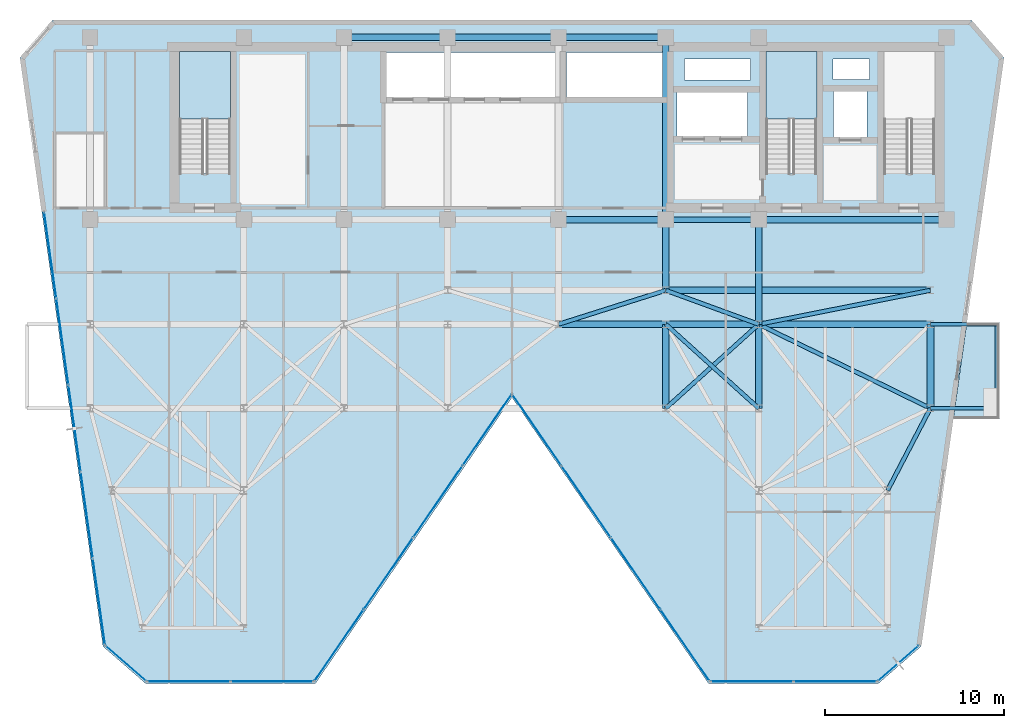
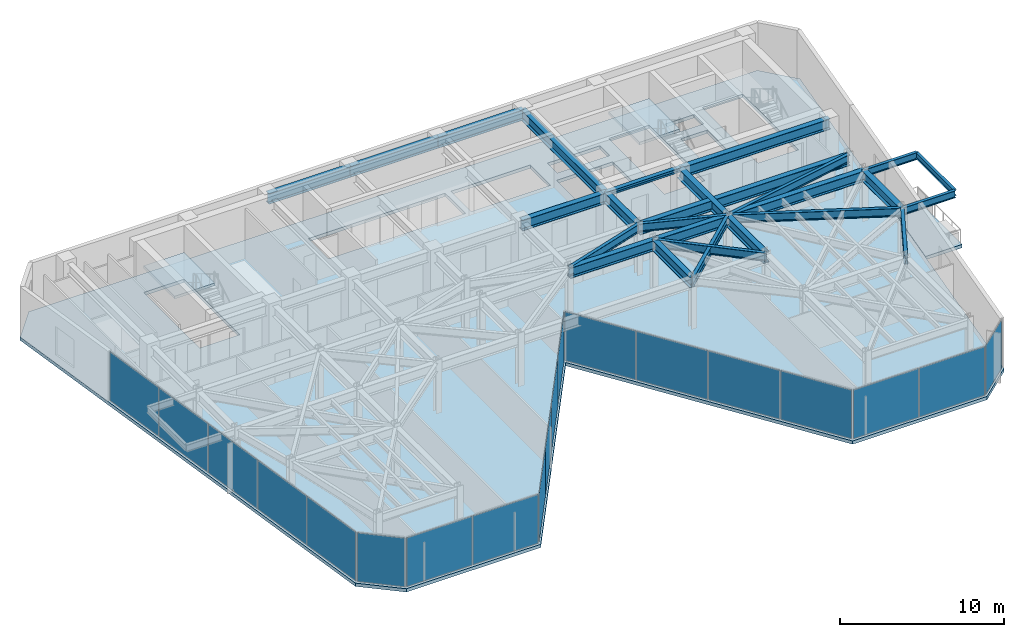
# One storey, part 21 of 27: 26 beams, 19 plates, 4 slabs, 9 elements without a shape of their own.
"""IFC4 building model written with IfcOpenShell, lengths in metres."""

import ifcopenshell
import ifcopenshell.guid

model = None  # the IFC model being written
_history = None  # IfcOwnerHistory: only IFC2X3 demands one
_inside = {}  # id of a spatial element -> (the spatial element, [elements in it])
_under = {}  # id of a project, library or spatial element -> (it, [spatial elements below it])
_declared = {}  # id of a project -> (the project, [libraries it declares])
_typed = {}  # id of a type object -> (the type object, [elements of that type])
_made_of = {}  # id of a material, layer set ... -> (it, [elements and type objects made of it])


def new_model(schema):
    """Start an empty IFC model of exactly this schema.

    Asked for "IFC4X3", IfcOpenShell would pick the latest addendum, in which some entities
    have other attributes; the version numbers below select the first issue.
    IFC2X3 requires an IfcOwnerHistory on every rooted entity: one is made here for all.
    """
    global model, _history
    if schema == "IFC4X3":
        model = ifcopenshell.file(schema_version=(4, 3, 0, 0))
    else:
        model = ifcopenshell.file(schema=schema)
    _inside.clear()
    _under.clear()
    _declared.clear()
    _typed.clear()
    _made_of.clear()
    _history = None
    if model.schema == "IFC2X3":
        org = make("IfcOrganization", Name="unknown")
        user = make(
            "IfcPersonAndOrganization",
            ThePerson=make("IfcPerson", FamilyName="unknown"),
            TheOrganization=org,
        )
        app = make(
            "IfcApplication",
            ApplicationDeveloper=org,
            Version="unknown",
            ApplicationFullName="unknown",
            ApplicationIdentifier="unknown",
        )
        _history = make(
            "IfcOwnerHistory",
            OwningUser=user,
            OwningApplication=app,
            ChangeAction="ADDED",
            CreationDate=0,
        )
    return model


def make(cls, **values):
    """One entity of the class cls with the attributes given. An attribute that is None is left unset."""
    return model.create_entity(
        cls, **{name: value for name, value in values.items() if value is not None}
    )


def rooted(cls, **values):
    """An entity with a GlobalId (a new one), such as an element, a storey or a relation."""
    return make(cls, GlobalId=ifcopenshell.guid.new(), OwnerHistory=_history, **values)


def si_unit(unit_type, name, prefix=None):
    """IfcSIUnit, for example si_unit("LENGTHUNIT", "METRE", prefix="MILLI")."""
    return make("IfcSIUnit", UnitType=unit_type, Prefix=prefix, Name=name)


def assignment(units):
    """IfcUnitAssignment: the units of a project."""
    return None if units is None else make("IfcUnitAssignment", Units=units)


def point(xyz):
    """IfcCartesianPoint."""
    return None if xyz is None else make("IfcCartesianPoint", Coordinates=xyz)


def direction(xyz):
    """IfcDirection."""
    return None if xyz is None else make("IfcDirection", DirectionRatios=xyz)


def frame(location, z_axis=None, x_axis=None):
    """IfcAxis2Placement3D, a coordinate frame: its origin and axes. An axis left out is left unset."""
    return make(
        "IfcAxis2Placement3D",
        Location=point(location),
        Axis=direction(z_axis),
        RefDirection=direction(x_axis),
    )


def frame_2d(location, x_axis=None):
    """IfcAxis2Placement2D, a coordinate frame in the plane: its origin and x axis."""
    return make(
        "IfcAxis2Placement2D", Location=point(location), RefDirection=direction(x_axis)
    )


def origin():
    """The frame at (0, 0, 0) with its axes left unset."""
    return frame((0.0, 0.0, 0.0))


def origin_2d():
    """The frame at (0, 0) in the plane with its x axis left unset."""
    return frame_2d((0.0, 0.0))


def place(relative_to, where):
    """IfcLocalPlacement: puts the frame where relative to a parent placement (None: the world)."""
    return make(
        "IfcLocalPlacement", PlacementRelTo=relative_to, RelativePlacement=where
    )


def context(
    kind, dimensions, precision=None, world=None, true_north=None, identifier=None
):
    """IfcGeometricRepresentationContext, for example the 3D "Model" context."""
    return make(
        "IfcGeometricRepresentationContext",
        ContextIdentifier=identifier,
        ContextType=kind,
        CoordinateSpaceDimension=dimensions,
        Precision=precision,
        WorldCoordinateSystem=world,
        TrueNorth=true_north,
    )


def subcontext(parent, identifier, kind, view, scale=None):
    """IfcGeometricRepresentationSubContext, for example "Body" below "Model"."""
    return make(
        "IfcGeometricRepresentationSubContext",
        ContextIdentifier=identifier,
        ContextType=kind,
        ParentContext=parent,
        TargetScale=scale,
        TargetView=view,
    )


def project(units=None, contexts=None):
    """IfcProject with its units and contexts."""
    return rooted(
        "IfcProject",
        Name="project",
        RepresentationContexts=contexts,
        UnitsInContext=assignment(units),
    )


def spatial(cls, under=None, at=None, **own):
    """A site, building, storey or space (cls), placed at a placement, below another one or the project."""
    s = rooted(cls, ObjectPlacement=at, **own)
    if under is not None:
        _under.setdefault(under.id(), (under, []))[1].append(s)
    return s


def polyline(points):
    """IfcPolyline through the points."""
    return make("IfcPolyline", Points=[point(p) for p in points])


def profile(cls, at=None, kind="AREA", **sizes):
    """A parametric profile (cls). Its sizes go by their IFC names, for example OverallWidth=200.0."""
    return make(cls, ProfileType=kind, Position=at, **sizes)


def rectangle(**sizes):
    """IfcRectangleProfileDef."""
    return profile("IfcRectangleProfileDef", **sizes)


def i_section(**sizes):
    """IfcIShapeProfileDef."""
    return profile("IfcIShapeProfileDef", **sizes)


def outline(outer, holes=None, kind="AREA"):
    """IfcArbitraryClosedProfileDef: a profile drawn as a closed curve; with holes, ...WithVoids."""
    if holes is None:
        return make("IfcArbitraryClosedProfileDef", ProfileType=kind, OuterCurve=outer)
    return make(
        "IfcArbitraryProfileDefWithVoids",
        ProfileType=kind,
        OuterCurve=outer,
        InnerCurves=holes,
    )


def extrude(swept, where, along, depth):
    """IfcExtrudedAreaSolid: the profile swept, set in the frame where, extruded along a direction by depth."""
    return make(
        "IfcExtrudedAreaSolid",
        SweptArea=swept,
        Position=where,
        ExtrudedDirection=direction(along),
        Depth=depth,
    )


def shape(context_of_items, identifier, shape_type, items):
    """IfcShapeRepresentation: the items that make up one representation, for example the "Body"."""
    return make(
        "IfcShapeRepresentation",
        ContextOfItems=context_of_items,
        RepresentationIdentifier=identifier,
        RepresentationType=shape_type,
        Items=items,
    )


def material(Name=None, Category=None):
    """IfcMaterial."""
    return make("IfcMaterial", Name=Name, Category=Category)


def layer(
    of_material, thickness, ventilated=None, Name=None, Category=None, Priority=None
):
    """IfcMaterialLayer: one layer of a wall or slab, of a material (None: an air gap)."""
    return make(
        "IfcMaterialLayer",
        Material=of_material,
        LayerThickness=thickness,
        IsVentilated=ventilated,
        Name=Name,
        Category=Category,
        Priority=Priority,
    )


def layer_set(layers, Name=None):
    """IfcMaterialLayerSet."""
    return make("IfcMaterialLayerSet", MaterialLayers=layers, LayerSetName=Name)


def material_profile(
    of_material, cross_section, Name=None, Category=None, Priority=None
):
    """IfcMaterialProfile: a cross section and its material."""
    return make(
        "IfcMaterialProfile",
        Name=Name,
        Material=of_material,
        Profile=cross_section,
        Priority=Priority,
        Category=Category,
    )


def profile_set(profiles, Name=None, composite=None):
    """IfcMaterialProfileSet."""
    return make(
        "IfcMaterialProfileSet",
        Name=Name,
        MaterialProfiles=profiles,
        CompositeProfile=composite,
    )


def made_of(thing, what):
    """Note that an element or type object is made of a material, layer set ...; save() writes the relation."""
    if what is not None:
        _made_of.setdefault(what.id(), (what, []))[1].append(thing)
    return thing


def type_object(cls, material=None, **own):
    """A type object (cls), such as IfcWallType, which elements share."""
    return made_of(rooted(cls, **own), material)


def element(
    cls,
    number,
    at=None,
    inside=None,
    cuts=None,
    type_object=None,
    material=None,
    context=None,
    identifier="Body",
    shape_type=None,
    held_by="IfcProductDefinitionShape",
    body=None,
    shapes=None,
    **own,
):
    """One element of the class cls, such as IfcWall. Its Tag is "e" and its number.

    at: its placement. inside: the storey or other place that contains it. cuts: it is an
    opening in that element (IfcRelVoidsElement). A single representation is given by context,
    identifier, shape_type and body (its items); several are given by shapes. held_by: the class
    of the entity that holds the representations. save() writes the other relations.
    """
    e = rooted(cls, Tag="e%d" % number, ObjectPlacement=at, **own)
    if body is not None:
        shapes = [shape(context, identifier, shape_type, body)]
    if shapes is not None:
        e.Representation = make(held_by, Representations=shapes)
    if inside is not None:
        _inside.setdefault(inside.id(), (inside, []))[1].append(e)
    if cuts is not None:
        rooted(
            "IfcRelVoidsElement", RelatingBuildingElement=cuts, RelatedOpeningElement=e
        )
    if type_object is not None:
        _typed.setdefault(type_object.id(), (type_object, []))[1].append(e)
    return made_of(e, material)


def aggregate(whole, parts):
    """IfcRelAggregates: a whole, such as a stair, and the parts it consists of."""
    return rooted("IfcRelAggregates", RelatingObject=whole, RelatedObjects=parts)


def save(model, path):
    """Write the relations noted so far, then the file.

    IfcRelAggregates (storeys below a building ...), IfcRelContainedInSpatialStructure (elements
    in a storey), IfcRelDefinesByType, IfcRelAssociatesMaterial and IfcRelDeclares: one each for
    every whole, place, type object, material and project.
    """
    for whole, parts in _under.values():
        aggregate(whole, parts)
    for where, things in _inside.values():
        rooted(
            "IfcRelContainedInSpatialStructure",
            RelatedElements=things,
            RelatingStructure=where,
        )
    for kind, things in _typed.values():
        rooted("IfcRelDefinesByType", RelatedObjects=things, RelatingType=kind)
    for what, things in _made_of.values():
        rooted("IfcRelAssociatesMaterial", RelatedObjects=things, RelatingMaterial=what)
    for by, libraries in _declared.values():
        rooted("IfcRelDeclares", RelatingContext=by, RelatedDefinitions=libraries)
    model.write(path)


model = new_model("IFC4")

# Units and contexts
model_context = context("Model", 3, precision=1e-05, world=origin(), true_north=direction((0.0, 1.0)))
body_context = subcontext(model_context, "Body", "Model", "MODEL_VIEW")
ifc_project = project(units=[si_unit("LENGTHUNIT", "METRE"), si_unit("AREAUNIT", "SQUARE_METRE"), si_unit("VOLUMEUNIT", "CUBIC_METRE"), si_unit("PLANEANGLEUNIT", "RADIAN"), si_unit("MASSUNIT", "GRAM", prefix="KILO")], contexts=[model_context])

# Site, building, storey
site_placement = place(None, origin())
site = spatial("IfcSite", under=ifc_project, at=site_placement, CompositionType="ELEMENT")
building_placement = place(site_placement, origin())
building = spatial("IfcBuilding", under=site, at=building_placement, Name="Kravanh Interchange Tower", CompositionType="ELEMENT")
storey_placement = place(building_placement, frame((0.0, 0.0, 164.5)))
storey = spatial("IfcBuildingStorey", under=building, at=storey_placement, Name="L39", CompositionType="ELEMENT", Elevation=164.5)

# Beams
ifc_material_1 = material(Name="Structural Steel S355", Category="steel")
ifc_material_profile_1 = material_profile(ifc_material_1, i_section(OverallWidth=0.381103515625, OverallDepth=0.77294921875, WebThickness=0.0166015625, FlangeThickness=0.027099609375, FilletRadius=0.02490234375, at=origin_2d()), Name="W30X173")
ifc_profile_set_1 = profile_set([ifc_material_profile_1], Name="Structural Steel S355")
beam_type_1 = type_object("IfcBeamType", Name="Floor Beam W30X173 Structural Steel S355", PredefinedType="BEAM", material=ifc_profile_set_1)
beam_1_placement = place(storey_placement, frame((66.5, 37.35009765625, 3.368408203125), z_axis=(-1.0, 0.0, 0.0), x_axis=(0.0, -1.0, 0.0)))
element("IfcBeam", 1, at=beam_1_placement, inside=storey, type_object=beam_type_1, Name="L39 Primary Floor Girder 5", PredefinedType="BEAM", context=body_context, shape_type="SweptSolid", body=[
    extrude(i_section(OverallWidth=0.381103515625, OverallDepth=0.77294921875, WebThickness=0.0166015625, FlangeThickness=0.027099609375, FilletRadius=0.02490234375, at=origin_2d()), origin(), (0.0, 0.0, 1.0), 10.5),
])
beam_2_placement = place(storey_placement, frame((56.0, 37.35009765625, 3.368408203125), z_axis=(0.0, -1.0, 0.0), x_axis=(1.0, 0.0, 0.0)))
element("IfcBeam", 2, at=beam_2_placement, inside=storey, type_object=beam_type_1, Name="L39 Primary Floor Girder 7", PredefinedType="BEAM", context=body_context, shape_type="SweptSolid", body=[
    extrude(i_section(OverallWidth=0.381103515625, OverallDepth=0.77294921875, WebThickness=0.0166015625, FlangeThickness=0.027099609375, FilletRadius=0.02490234375, at=origin_2d()), origin(), (0.0, 0.0, 1.0), 5.85009765625),
])
beam_3_placement = place(storey_placement, frame((50.800048828125, 47.550048828125, 3.368408203125), z_axis=(-1.0, 0.0, 0.0), x_axis=(0.0, -1.0, 0.0)))
element("IfcBeam", 3, at=beam_3_placement, inside=storey, type_object=beam_type_1, Name="L39 Primary Floor Girder 8", PredefinedType="BEAM", context=body_context, shape_type="SweptSolid", body=[
    extrude(i_section(OverallWidth=0.381103515625, OverallDepth=0.77294921875, WebThickness=0.0166015625, FlangeThickness=0.027099609375, FilletRadius=0.02490234375, at=origin_2d()), origin(), (0.0, 0.0, 1.0), 6.0),
])
beam_4_placement = place(storey_placement, frame((50.800048828125, 47.550048828125, 3.368408203125), z_axis=(0.0, -1.0, 0.0), x_axis=(1.0, 0.0, 0.0)))
element("IfcBeam", 4, at=beam_4_placement, inside=storey, type_object=beam_type_1, Name="L39 Primary Floor Girder 9", PredefinedType="BEAM", context=body_context, shape_type="SweptSolid", body=[
    extrude(i_section(OverallWidth=0.381103515625, OverallDepth=0.77294921875, WebThickness=0.0166015625, FlangeThickness=0.027099609375, FilletRadius=0.02490234375, at=origin_2d()), origin(), (0.0, 0.0, 1.0), 10.199951171875),
])
beam_5_placement = place(storey_placement, frame((50.800048828125, 37.35009765625, 3.368408203125), z_axis=(0.0, -1.0, 0.0), x_axis=(1.0, 0.0, 0.0)))
element("IfcBeam", 5, at=beam_5_placement, inside=storey, type_object=beam_type_1, Name="L39 Primary Floor Girder 10", PredefinedType="BEAM", context=body_context, shape_type="SweptSolid", body=[
    extrude(i_section(OverallWidth=0.381103515625, OverallDepth=0.77294921875, WebThickness=0.0166015625, FlangeThickness=0.027099609375, FilletRadius=0.02490234375, at=origin_2d()), origin(), (0.0, 0.0, 1.0), 3.9501953125),
])
beam_6_placement = place(storey_placement, frame((50.800048828125, 37.35009765625, 3.368408203125), z_axis=(-1.0, 0.0, 0.0), x_axis=(0.0, -1.0, 0.0)))
element("IfcBeam", 6, at=beam_6_placement, inside=storey, type_object=beam_type_1, Name="L39 Primary Floor Girder 11", PredefinedType="BEAM", context=body_context, shape_type="SweptSolid", body=[
    extrude(i_section(OverallWidth=0.381103515625, OverallDepth=0.77294921875, WebThickness=0.0166015625, FlangeThickness=0.027099609375, FilletRadius=0.02490234375, at=origin_2d()), origin(), (0.0, 0.0, 1.0), 6.0),
])
beam_7_placement = place(storey_placement, frame((44.800048828125, 47.550048828125, 3.368408203125), z_axis=(-1.0, 0.0, 0.0), x_axis=(0.0, -1.0, 0.0)))
element("IfcBeam", 7, at=beam_7_placement, inside=storey, type_object=beam_type_1, Name="L39 Primary Floor Girder 15", PredefinedType="BEAM", context=body_context, shape_type="SweptSolid", body=[
    extrude(i_section(OverallWidth=0.381103515625, OverallDepth=0.77294921875, WebThickness=0.0166015625, FlangeThickness=0.027099609375, FilletRadius=0.02490234375, at=origin_2d()), origin(), (0.0, 0.0, 1.0), 6.199951171875),
])
beam_8_placement = place(storey_placement, frame((38.60009765625, 47.550048828125, 3.368408203125), z_axis=(-1.0, 0.0, 0.0), x_axis=(0.0, -1.0, 0.0)))
element("IfcBeam", 8, at=beam_8_placement, inside=storey, type_object=beam_type_1, Name="L39 Primary Floor Girder 19", PredefinedType="BEAM", context=body_context, shape_type="SweptSolid", body=[
    extrude(i_section(OverallWidth=0.381103515625, OverallDepth=0.77294921875, WebThickness=0.0166015625, FlangeThickness=0.027099609375, FilletRadius=0.02490234375, at=origin_2d()), origin(), (0.0, 0.0, 1.0), 5.800048828125),
])
for number, where, z_axis, x_axis, name in (
    (9, (50.800048828125, 26.800048828125, 3.368408203125), (0.0, 1.0, 0.0), (-1.0, 0.0, 0.0), "L39 Primary Floor Girder 49"),
    (10, (56.0, 26.800048828125, 3.368408203125), (0.0, 1.0, 0.0), (-1.0, 0.0, 0.0), "L39 Primary Floor Girder 54"),
    (11, (65.60009765625, 26.800048828125, 3.368408203125), (0.0, 1.0, 0.0), (-1.0, 0.0, 0.0), "L39 Primary Floor Girder 57"),
):
    element("IfcBeam", number, at=place(storey_placement, frame(where, z_axis=z_axis, x_axis=x_axis)), inside=storey, type_object=beam_type_1, Name=name, PredefinedType="BEAM", context=body_context, shape_type="SweptSolid", body=[
        extrude(i_section(OverallWidth=0.381103515625, OverallDepth=0.77294921875, WebThickness=0.0166015625, FlangeThickness=0.027099609375, FilletRadius=0.02490234375, at=origin_2d()), origin(), (0.0, 0.0, 1.0), 4.699951171875),
    ])
beam_9_placement = place(storey_placement, frame((44.800048828125, 31.5, 3.368408203125), z_axis=(1.0, 0.0, 0.0), x_axis=(0.0, 1.0, 0.0)))
element("IfcBeam", 12, at=beam_9_placement, inside=storey, type_object=beam_type_1, Name="L39 Primary Floor Girder 74", PredefinedType="BEAM", context=body_context, shape_type="SweptSolid", body=[
    extrude(i_section(OverallWidth=0.381103515625, OverallDepth=0.77294921875, WebThickness=0.0166015625, FlangeThickness=0.027099609375, FilletRadius=0.02490234375, at=origin_2d()), origin(), (0.0, 0.0, 1.0), 6.0),
])
beam_10_placement = place(storey_placement, frame((50.800048828125, 31.5, 3.368408203125), z_axis=(1.0, 0.0, 0.0), x_axis=(0.0, 1.0, 0.0)))
element("IfcBeam", 13, at=beam_10_placement, inside=storey, type_object=beam_type_1, Name="L39 Primary Floor Girder 77", PredefinedType="BEAM", context=body_context, shape_type="SweptSolid", body=[
    extrude(i_section(OverallWidth=0.381103515625, OverallDepth=0.77294921875, WebThickness=0.0166015625, FlangeThickness=0.027099609375, FilletRadius=0.02490234375, at=origin_2d()), origin(), (0.0, 0.0, 1.0), 5.199951171875),
])
beam_11_placement = place(storey_placement, frame((56.0, 31.5, 3.368408203125), z_axis=(1.0, 0.0, 0.0), x_axis=(0.0, 1.0, 0.0)))
element("IfcBeam", 14, at=beam_11_placement, inside=storey, type_object=beam_type_1, Name="L39 Primary Floor Girder 81", PredefinedType="BEAM", context=body_context, shape_type="SweptSolid", body=[
    extrude(i_section(OverallWidth=0.381103515625, OverallDepth=0.77294921875, WebThickness=0.0166015625, FlangeThickness=0.027099609375, FilletRadius=0.02490234375, at=origin_2d()), origin(), (0.0, 0.0, 1.0), 9.60009765625),
])
beam_12_placement = place(storey_placement, frame((50.800048828125, 33.39990234375, 3.368408203125), z_axis=(1.0, 0.0, 0.0), x_axis=(0.0, 1.0, 0.0)))
element("IfcBeam", 15, at=beam_12_placement, inside=storey, type_object=beam_type_1, Name="L39 Primary Floor Girder 95", PredefinedType="BEAM", context=body_context, shape_type="SweptSolid", body=[
    extrude(i_section(OverallWidth=0.381103515625, OverallDepth=0.77294921875, WebThickness=0.0166015625, FlangeThickness=0.027099609375, FilletRadius=0.02490234375, at=origin_2d()), origin(), (0.0, 0.0, 1.0), 14.800048828125),
])
ifc_material_2 = material(Name="Structural Steel S355", Category="steel")
ifc_material_profile_2 = material_profile(ifc_material_2, i_section(OverallWidth=0.18994140625, OverallDepth=0.45703125, WebThickness=0.009033203125, FlangeThickness=0.014404296875, FilletRadius=0.01806640625, at=origin_2d()), Name="W18X50")
ifc_profile_set_2 = profile_set([ifc_material_profile_2], Name="Structural Steel S355")
beam_type_2 = type_object("IfcBeamType", Name="Floor Joist W18X50 Structural Steel S355", PredefinedType="JOIST", material=ifc_profile_set_2)
beam_13_placement = place(storey_placement, frame((69.319091796875, 26.800048828125, 3.526611328125), z_axis=(0.0, 1.0, 0.0), x_axis=(-1.0, 0.0, 0.0)))
element("IfcBeam", 16, at=beam_13_placement, inside=storey, type_object=beam_type_2, Name="L39 Balcony Edge Tie Beam E", PredefinedType="JOIST", context=body_context, shape_type="SweptSolid", body=[
    extrude(i_section(OverallWidth=0.18994140625, OverallDepth=0.45703125, WebThickness=0.009033203125, FlangeThickness=0.014404296875, FilletRadius=0.01806640625, at=origin_2d()), origin(), (0.0, 0.0, 1.0), 4.699951171875),
])
ifc_material_3 = material(Name="Structural Steel S355", Category="steel")
ifc_material_profile_3 = material_profile(ifc_material_3, i_section(OverallWidth=0.304931640625, OverallDepth=0.306884765625, WebThickness=0.010009765625, FlangeThickness=0.015380859375, FilletRadius=0.014892578125, at=origin_2d()), Name="W12X65")
ifc_profile_set_3 = profile_set([ifc_material_profile_3], Name="Structural Steel S355")
beam_type_3 = type_object("IfcBeamType", Name="Floor Lintel W12X65 Structural Steel S355", PredefinedType="LINTEL", material=ifc_profile_set_3)
beam_14_placement = place(storey_placement, frame((50.800048828125, 37.35009765625, 3.6015625), z_axis=(1.0, 0.0, 0.0), x_axis=(0.0, 1.0, 0.0)))
element("IfcBeam", 17, at=beam_14_placement, inside=storey, type_object=beam_type_3, Name="L39 Core Coupling Lintel 1", PredefinedType="LINTEL", context=body_context, shape_type="SweptSolid", body=[
    extrude(i_section(OverallWidth=0.304931640625, OverallDepth=0.306884765625, WebThickness=0.010009765625, FlangeThickness=0.015380859375, FilletRadius=0.014892578125, at=origin_2d()), origin(), (0.0, 0.0, 1.0), 5.199951171875),
])
ifc_material_4 = material(Name="Structural Steel S355", Category="steel")
ifc_material_profile_4 = material_profile(ifc_material_4, i_section(OverallWidth=0.2099609375, OverallDepth=0.537109375, WebThickness=0.010986328125, FlangeThickness=0.017333984375, FilletRadius=0.02001953125, at=origin_2d()), Name="W21X68")
ifc_profile_set_4 = profile_set([ifc_material_profile_4], Name="Structural Steel S355")
beam_type_4 = type_object("IfcBeamType", Name="Floor Spandrel W21X68 Structural Steel S355", PredefinedType="SPANDREL", material=ifc_profile_set_4)
for number, where, z_axis, x_axis, name in (
    (18, (65.60009765625, 26.800048828125, 3.486572265625), (1.0, 0.0, 0.0), (0.0, 1.0, 0.0), "L39 Balcony Cantilever Outrigger E1"),
    (19, (65.60009765625, 31.5, 3.486572265625), (1.0, 0.0, 0.0), (0.0, 1.0, 0.0), "L39 Balcony Cantilever Outrigger E2"),
):
    element("IfcBeam", number, at=place(storey_placement, frame(where, z_axis=z_axis, x_axis=x_axis)), inside=storey, type_object=beam_type_4, Name=name, PredefinedType="SPANDREL", context=body_context, shape_type="SweptSolid", body=[
        extrude(i_section(OverallWidth=0.2099609375, OverallDepth=0.537109375, WebThickness=0.010986328125, FlangeThickness=0.017333984375, FilletRadius=0.02001953125, at=origin_2d()), origin(), (0.0, 0.0, 1.0), 3.718994140625),
    ])
ifc_material_5 = material(Name="Structural Steel S355", Category="steel")
ifc_material_profile_5 = material_profile(ifc_material_5, i_section(OverallWidth=0.22802734375, OverallDepth=0.60791015625, WebThickness=0.01123046875, FlangeThickness=0.017333984375, FilletRadius=0.02197265625, at=origin_2d()), Name="W24X76")
ifc_profile_set_5 = profile_set([ifc_material_profile_5], Name="Structural Steel S355")
beam_type_5 = type_object("IfcBeamType", Name="Floor Spandrel W24X76 Structural Steel S355", PredefinedType="SPANDREL", material=ifc_profile_set_5)
for number, where, z_axis, x_axis, name in (
    (20, (50.800048828125, 26.800048828125, 3.450927734375), (0.741874009795, 0.670539300557, 0.0), (-0.670539300557, 0.741874009795, 0.0), "L39 Perimeter Spandrel 52"),
    (21, (56.0, 26.800048828125, 3.450927734375), (-0.741874009795, 0.670539300557, 0.0), (-0.670539300557, -0.741874009795, 0.0), "L39 Perimeter Spandrel 55"),
):
    element("IfcBeam", number, at=place(storey_placement, frame(where, z_axis=z_axis, x_axis=x_axis)), inside=storey, type_object=beam_type_5, Name=name, PredefinedType="SPANDREL", context=body_context, shape_type="SweptSolid", body=[
        extrude(i_section(OverallWidth=0.22802734375, OverallDepth=0.60791015625, WebThickness=0.01123046875, FlangeThickness=0.017333984375, FilletRadius=0.02197265625, at=origin_2d()), origin(), (0.0, 0.0, 1.0), 7.00927734375),
    ])
beam_15_placement = place(storey_placement, frame((65.60009765625, 26.800048828125, 3.450927734375), z_axis=(-0.462580479178, -0.886577295155, 0.0), x_axis=(0.886577295155, -0.462580479178, 0.0)))
element("IfcBeam", 22, at=beam_15_placement, inside=storey, type_object=beam_type_5, Name="L39 Perimeter Spandrel 58", PredefinedType="SPANDREL", context=body_context, shape_type="SweptSolid", body=[
    extrude(i_section(OverallWidth=0.22802734375, OverallDepth=0.60791015625, WebThickness=0.01123046875, FlangeThickness=0.017333984375, FilletRadius=0.02197265625, at=origin_2d()), origin(), (0.0, 0.0, 1.0), 5.188720703125),
])
beam_16_placement = place(storey_placement, frame((65.60009765625, 26.800048828125, 3.450927734375), z_axis=(-0.898141688387, 0.439706160499, 0.0), x_axis=(-0.439706160499, -0.898141688387, 0.0)))
element("IfcBeam", 23, at=beam_16_placement, inside=storey, type_object=beam_type_5, Name="L39 Perimeter Spandrel 60", PredefinedType="SPANDREL", context=body_context, shape_type="SweptSolid", body=[
    extrude(i_section(OverallWidth=0.22802734375, OverallDepth=0.60791015625, WebThickness=0.01123046875, FlangeThickness=0.017333984375, FilletRadius=0.02197265625, at=origin_2d()), origin(), (0.0, 0.0, 1.0), 10.68896484375),
])
beam_17_placement = place(storey_placement, frame((44.800048828125, 31.5, 3.450927734375), z_axis=(0.953346691051, 0.301877602122, 0.0), x_axis=(-0.301877602122, 0.953346691051, 0.0)))
element("IfcBeam", 24, at=beam_17_placement, inside=storey, type_object=beam_type_5, Name="L39 Perimeter Spandrel 75", PredefinedType="SPANDREL", context=body_context, shape_type="SweptSolid", body=[
    extrude(i_section(OverallWidth=0.22802734375, OverallDepth=0.60791015625, WebThickness=0.01123046875, FlangeThickness=0.017333984375, FilletRadius=0.02197265625, at=origin_2d()), origin(), (0.0, 0.0, 1.0), 6.293701171875),
])
beam_18_placement = place(storey_placement, frame((56.0, 31.5, 3.450927734375), z_axis=(-0.93926957103, 0.343180233896, 0.0), x_axis=(-0.343180233896, -0.93926957103, 0.0)))
element("IfcBeam", 25, at=beam_18_placement, inside=storey, type_object=beam_type_5, Name="L39 Perimeter Spandrel 80", PredefinedType="SPANDREL", context=body_context, shape_type="SweptSolid", body=[
    extrude(i_section(OverallWidth=0.22802734375, OverallDepth=0.60791015625, WebThickness=0.01123046875, FlangeThickness=0.017333984375, FilletRadius=0.02197265625, at=origin_2d()), origin(), (0.0, 0.0, 1.0), 5.5361328125),
])
beam_19_placement = place(storey_placement, frame((56.0, 31.5, 3.450927734375), z_axis=(0.980974000807, 0.194139150457, 0.0), x_axis=(-0.194139150457, 0.980974000807, 0.0)))
element("IfcBeam", 26, at=beam_19_placement, inside=storey, type_object=beam_type_5, Name="L39 Perimeter Spandrel 82", PredefinedType="SPANDREL", context=body_context, shape_type="SweptSolid", body=[
    extrude(i_section(OverallWidth=0.22802734375, OverallDepth=0.60791015625, WebThickness=0.01123046875, FlangeThickness=0.017333984375, FilletRadius=0.02197265625, at=origin_2d()), origin(), (0.0, 0.0, 1.0), 9.786376953125),
])

# Slab
ifc_material_6 = material(Name="Concrete C50/60", Category="concrete")
ifc_layer_1 = layer(ifc_material_6, 0.2451171875)
ifc_layer_set_1 = layer_set([ifc_layer_1], Name="Composite Floor Slab Concrete C50/60 245mm")
slab_type_1 = type_object("IfcSlabType", Name="Composite Floor Slab Concrete C50/60 245mm", PredefinedType="FLOOR", material=ifc_layer_set_1)
slab_1_placement = place(storey_placement, frame((0.0, 0.0, -0.2451171875)))
element("IfcSlab", 27, at=slab_1_placement, inside=storey, type_object=slab_type_1, Name="L39 Structural Floor Slab", PredefinedType="FLOOR", context=body_context, shape_type="SweptSolid", body=[
    extrude(outline(polyline([(19.32177734375, 13.4794921875), (21.714111328125, 11.39990234375), (31.199951171875, 11.39990234375), (42.199951171875, 27.39990234375), (53.199951171875, 11.39990234375), (62.685791015625, 11.39990234375), (65.078125, 13.4794921875), (69.707763671875, 46.42041015625), (67.89990234375, 48.5), (16.5, 48.5), (14.6923828125, 46.42041015625), (19.32177734375, 13.4794921875)]), holes=[polyline([(65.85009765625, 39.925048828125), (65.85009765625, 46.75), (63.0, 46.75), (63.0, 39.925048828125), (65.85009765625, 39.925048828125)]), polyline([(59.25, 39.925048828125), (59.25, 46.75), (56.39990234375, 46.75), (56.39990234375, 39.925048828125), (59.25, 39.925048828125)]), polyline([(26.449951171875, 39.925048828125), (26.449951171875, 46.75), (23.60009765625, 46.75), (23.60009765625, 39.925048828125), (26.449951171875, 39.925048828125)]), polyline([(35.179931640625, 44.219970703125), (44.840087890625, 44.219970703125), (44.840087890625, 46.699951171875), (35.179931640625, 46.699951171875), (35.179931640625, 44.219970703125)]), polyline([(45.239990234375, 44.219970703125), (50.840087890625, 44.219970703125), (50.840087890625, 46.699951171875), (45.239990234375, 46.699951171875), (45.239990234375, 44.219970703125)]), polyline([(51.419921875, 42.02001953125), (55.3798828125, 42.02001953125), (55.3798828125, 44.47998046875), (51.419921875, 44.47998046875), (51.419921875, 42.02001953125)]), polyline([(60.179931640625, 41.97998046875), (62.06005859375, 41.97998046875), (62.06005859375, 44.52001953125), (60.179931640625, 44.52001953125), (60.179931640625, 41.97998046875)]), polyline([(60.14990234375, 45.199951171875), (62.199951171875, 45.199951171875), (62.199951171875, 46.35009765625), (60.14990234375, 46.35009765625), (60.14990234375, 45.199951171875)]), polyline([(51.85009765625, 45.14990234375), (55.550048828125, 45.14990234375), (55.550048828125, 46.35009765625), (51.85009765625, 46.35009765625), (51.85009765625, 45.14990234375)])]), origin(), (0.0, 0.0, 1.0), 0.2451171875),
])

# Stair, slab
ifc_material_7 = material(Name="Concrete C50/60", Category="concrete")
stair_type = type_object("IfcStairType", Name="Core Fire Exit Dogleg Stair Concrete C50/60", PredefinedType="HALF_TURN_STAIR", material=ifc_material_7)
stair_1_placement = place(storey_placement, origin())
stair_1 = element("IfcStair", 28, at=stair_1_placement, inside=storey, type_object=stair_type, Name="L39 Exit Stair ST2", PredefinedType="HALF_TURN_STAIR")
ifc_material_8 = material(Name="Concrete C50/60", Category="concrete")
ifc_layer_2 = layer(ifc_material_8, 0.199951171875)
ifc_layer_set_2 = layer_set([ifc_layer_2], Name="Concrete C50/60 Stair Half-Landing Slab 200mm")
slab_type_2 = type_object("IfcSlabType", Name="Concrete C50/60 Stair Half-Landing Slab 200mm", PredefinedType="LANDING", material=ifc_layer_set_2)
slab_2_placement = place(storey_placement, frame((0.0, 0.0, 1.800048828125)))
slab_2 = element("IfcSlab", 29, at=slab_2_placement, type_object=slab_type_2, Name="ST2 landing 1", PredefinedType="LANDING", context=body_context, shape_type="SweptSolid", body=[
    extrude(outline(polyline([(59.25, 42.97998046875), (59.25, 46.75), (56.39990234375, 46.75), (56.39990234375, 42.97998046875), (59.25, 42.97998046875)])), origin(), (0.0, 0.0, 1.0), 0.199951171875),
])
aggregate(stair_1, [slab_2])

stair_2_placement = place(storey_placement, origin())
stair_2 = element("IfcStair", 30, at=stair_2_placement, inside=storey, type_object=stair_type, Name="L39 Exit Stair ST3", PredefinedType="HALF_TURN_STAIR")
slab_3_placement = place(storey_placement, frame((0.0, 0.0, 1.800048828125)))
slab_3 = element("IfcSlab", 31, at=slab_3_placement, type_object=slab_type_2, Name="ST3 landing 1", PredefinedType="LANDING", context=body_context, shape_type="SweptSolid", body=[
    extrude(outline(polyline([(26.449951171875, 42.97998046875), (26.449951171875, 46.75), (23.60009765625, 46.75), (23.60009765625, 42.97998046875), (26.449951171875, 42.97998046875)])), origin(), (0.0, 0.0, 1.0), 0.199951171875),
])
aggregate(stair_2, [slab_3])

# Curtain wall, plates
ifc_material_9 = material(Name="Anodised Bronze Aluminium", Category="aluminium")
ifc_layer_3 = layer(ifc_material_9, 0.179931640625)
ifc_layer_set_3 = layer_set([ifc_layer_3], Name="Unitised Curtain Wall System CW-Z3 Upper Office")
curtain_wall_type = type_object("IfcCurtainWallType", Name="Unitised Curtain Wall System CW-Z3 Upper Office", PredefinedType="NOTDEFINED", material=ifc_layer_set_3)
curtain_wall_1_placement = place(storey_placement, origin())
curtain_wall_1 = element("IfcCurtainWall", 32, at=curtain_wall_1_placement, inside=storey, type_object=curtain_wall_type, Name="L39 Unitised Curtain Wall CW-L39-01", PredefinedType="NOTDEFINED")
ifc_material_10 = material(Name="Low-E Laminated Architectural Glass", Category="glass")
ifc_layer_4 = layer(ifc_material_10, 0.02392578125)
ifc_layer_set_4 = layer_set([ifc_layer_4], Name="High-Selectivity Double Glazing 24mm")
plate_type = type_object("IfcPlateType", Name="High-Selectivity Double Glazing 24mm", PredefinedType="CURTAIN_PANEL", material=ifc_layer_set_4)
plate_1_placement = place(storey_placement, frame((19.09130859375, 15.9814453125, 0.06005859375), z_axis=(0.0, 0.0, 1.0), x_axis=(-0.139172209446, 0.990268194035, 0.0)))
plate_1 = element("IfcPlate", 33, at=plate_1_placement, type_object=plate_type, Name="CW-Z3 panel 1.1", PredefinedType="CURTAIN_PANEL", context=body_context, shape_type="SweptSolid", body=[
    extrude(rectangle(XDim=4.8095703125, YDim=0.02392578125, at=origin_2d()), origin(), (0.0, 0.0, 1.0), 3.635009765625),
])
plate_2_placement = place(storey_placement, frame((18.41162109375, 20.818603515625, 0.06005859375), z_axis=(0.0, 0.0, 1.0), x_axis=(-0.139172209446, 0.990268194035, 0.0)))
plate_2 = element("IfcPlate", 34, at=plate_2_placement, type_object=plate_type, Name="CW-Z3 panel 2.1", PredefinedType="CURTAIN_PANEL", context=body_context, shape_type="SweptSolid", body=[
    extrude(rectangle(XDim=4.839599609375, YDim=0.02392578125, at=origin_2d()), origin(), (0.0, 0.0, 1.0), 3.635009765625),
])
plate_3_placement = place(storey_placement, frame((17.729736328125, 25.67041015625, 0.06005859375), z_axis=(0.0, 0.0, 1.0), x_axis=(-0.139172209446, 0.990268194035, 0.0)))
plate_3 = element("IfcPlate", 35, at=plate_3_placement, type_object=plate_type, Name="CW-Z3 panel 3.1", PredefinedType="CURTAIN_PANEL", context=body_context, shape_type="SweptSolid", body=[
    extrude(rectangle(XDim=4.839599609375, YDim=0.02392578125, at=origin_2d()), origin(), (0.0, 0.0, 1.0), 3.635009765625),
])
plate_4_placement = place(storey_placement, frame((17.0478515625, 30.522216796875, 0.06005859375), z_axis=(0.0, 0.0, 1.0), x_axis=(-0.139172209446, 0.990268194035, 0.0)))
plate_4 = element("IfcPlate", 36, at=plate_4_placement, type_object=plate_type, Name="CW-Z3 panel 4.1", PredefinedType="CURTAIN_PANEL", context=body_context, shape_type="SweptSolid", body=[
    extrude(rectangle(XDim=4.839599609375, YDim=0.02392578125, at=origin_2d()), origin(), (0.0, 0.0, 1.0), 3.635009765625),
])
plate_5_placement = place(storey_placement, frame((16.367919921875, 35.359130859375, 0.06005859375), z_axis=(0.0, 0.0, 1.0), x_axis=(-0.139172209446, 0.990268194035, 0.0)))
plate_5 = element("IfcPlate", 37, at=plate_5_placement, type_object=plate_type, Name="CW-Z3 panel 5.1", PredefinedType="CURTAIN_PANEL", context=body_context, shape_type="SweptSolid", body=[
    extrude(rectangle(XDim=4.8095703125, YDim=0.02392578125, at=origin_2d()), origin(), (0.0, 0.0, 1.0), 3.635009765625),
])
aggregate(curtain_wall_1, [plate_1, plate_2, plate_3, plate_4, plate_5])

# Curtain wall, plate
curtain_wall_2_placement = place(storey_placement, origin())
curtain_wall_2 = element("IfcCurtainWall", 38, at=curtain_wall_2_placement, inside=storey, type_object=curtain_wall_type, Name="L39 Unitised Curtain Wall CW-L39-02", PredefinedType="NOTDEFINED")
plate_6_placement = place(storey_placement, frame((63.80322265625, 12.5302734375, 0.06005859375), z_axis=(0.0, 0.0, 1.0), x_axis=(-0.754716645379, -0.65605090137, 0.0)))
plate_6 = element("IfcPlate", 39, at=plate_6_placement, type_object=plate_type, Name="CW-Z3 panel 1.1", PredefinedType="CURTAIN_PANEL", context=body_context, shape_type="SweptSolid", body=[
    extrude(rectangle(XDim=2.960205078125, YDim=0.02392578125, at=origin_2d()), origin(), (0.0, 0.0, 1.0), 3.635009765625),
])
aggregate(curtain_wall_2, [plate_6])

# Curtain wall, plates
curtain_wall_3_placement = place(storey_placement, origin())
curtain_wall_3 = element("IfcCurtainWall", 40, at=curtain_wall_3_placement, inside=storey, type_object=curtain_wall_type, Name="L39 Unitised Curtain Wall CW-L39-03", PredefinedType="NOTDEFINED")
plate_7_placement = place(storey_placement, frame((60.281494140625, 11.52001953125, 0.06005859375), z_axis=(0.0, 0.0, 1.0), x_axis=(-1.0, 0.0, 0.0)))
plate_7 = element("IfcPlate", 41, at=plate_7_placement, type_object=plate_type, Name="CW-Z3 panel 1.1", PredefinedType="CURTAIN_PANEL", context=body_context, shape_type="SweptSolid", body=[
    extrude(rectangle(XDim=4.598876953125, YDim=0.02392578125, at=origin_2d()), origin(), (0.0, 0.0, 1.0), 3.635009765625),
])
plate_8_placement = place(storey_placement, frame((55.62255859375, 11.52001953125, 0.06005859375), z_axis=(0.0, 0.0, 1.0), x_axis=(-1.0, 0.0, 0.0)))
plate_8 = element("IfcPlate", 42, at=plate_8_placement, type_object=plate_type, Name="CW-Z3 panel 2.1", PredefinedType="CURTAIN_PANEL", context=body_context, shape_type="SweptSolid", body=[
    extrude(rectangle(XDim=4.598876953125, YDim=0.02392578125, at=origin_2d()), origin(), (0.0, 0.0, 1.0), 3.635009765625),
])
aggregate(curtain_wall_3, [plate_7, plate_8])

curtain_wall_4_placement = place(storey_placement, origin())
curtain_wall_4 = element("IfcCurtainWall", 43, at=curtain_wall_4_placement, inside=storey, type_object=curtain_wall_type, Name="L39 Unitised Curtain Wall CW-L39-04", PredefinedType="NOTDEFINED")
plate_9_placement = place(storey_placement, frame((51.871826171875, 13.5439453125, 0.06005859375), z_axis=(0.0, 0.0, 1.0), x_axis=(-0.566528388217, 0.824042223035, 0.0)))
plate_9 = element("IfcPlate", 44, at=plate_9_placement, type_object=plate_type, Name="CW-Z3 panel 1.1", PredefinedType="CURTAIN_PANEL", context=body_context, shape_type="SweptSolid", body=[
    extrude(rectangle(XDim=4.7919921875, YDim=0.02392578125, at=origin_2d()), origin(), (0.0, 0.0, 1.0), 3.635009765625),
])
plate_10_placement = place(storey_placement, frame((49.114501953125, 17.554443359375, 0.06005859375), z_axis=(0.0, 0.0, 1.0), x_axis=(-0.566528388217, 0.824042223035, 0.0)))
plate_10 = element("IfcPlate", 45, at=plate_10_placement, type_object=plate_type, Name="CW-Z3 panel 2.1", PredefinedType="CURTAIN_PANEL", context=body_context, shape_type="SweptSolid", body=[
    extrude(rectangle(XDim=4.822021484375, YDim=0.02392578125, at=origin_2d()), origin(), (0.0, 0.0, 1.0), 3.635009765625),
])
plate_11_placement = place(storey_placement, frame((46.3486328125, 21.577392578125, 0.06005859375), z_axis=(0.0, 0.0, 1.0), x_axis=(-0.566528388217, 0.824042223035, 0.0)))
plate_11 = element("IfcPlate", 46, at=plate_11_placement, type_object=plate_type, Name="CW-Z3 panel 3.1", PredefinedType="CURTAIN_PANEL", context=body_context, shape_type="SweptSolid", body=[
    extrude(rectangle(XDim=4.822021484375, YDim=0.02392578125, at=origin_2d()), origin(), (0.0, 0.0, 1.0), 3.635009765625),
])
plate_12_placement = place(storey_placement, frame((43.59130859375, 25.587890625, 0.06005859375), z_axis=(0.0, 0.0, 1.0), x_axis=(-0.566528388217, 0.824042223035, 0.0)))
plate_12 = element("IfcPlate", 47, at=plate_12_placement, type_object=plate_type, Name="CW-Z3 panel 4.1", PredefinedType="CURTAIN_PANEL", context=body_context, shape_type="SweptSolid", body=[
    extrude(rectangle(XDim=4.7919921875, YDim=0.02392578125, at=origin_2d()), origin(), (0.0, 0.0, 1.0), 3.635009765625),
])
aggregate(curtain_wall_4, [plate_9, plate_10, plate_11, plate_12])

curtain_wall_5_placement = place(storey_placement, origin())
curtain_wall_5 = element("IfcCurtainWall", 48, at=curtain_wall_5_placement, inside=storey, type_object=curtain_wall_type, Name="L39 Unitised Curtain Wall CW-L39-05", PredefinedType="NOTDEFINED")
plate_13_placement = place(storey_placement, frame((40.80859375, 25.587890625, 0.06005859375), z_axis=(0.0, 0.0, 1.0), x_axis=(-0.566528388217, -0.824042223035, 0.0)))
plate_13 = element("IfcPlate", 49, at=plate_13_placement, type_object=plate_type, Name="CW-Z3 panel 1.1", PredefinedType="CURTAIN_PANEL", context=body_context, shape_type="SweptSolid", body=[
    extrude(rectangle(XDim=4.7919921875, YDim=0.02392578125, at=origin_2d()), origin(), (0.0, 0.0, 1.0), 3.635009765625),
])
plate_14_placement = place(storey_placement, frame((38.05126953125, 21.577392578125, 0.06005859375), z_axis=(0.0, 0.0, 1.0), x_axis=(-0.566528388217, -0.824042223035, 0.0)))
plate_14 = element("IfcPlate", 50, at=plate_14_placement, type_object=plate_type, Name="CW-Z3 panel 2.1", PredefinedType="CURTAIN_PANEL", context=body_context, shape_type="SweptSolid", body=[
    extrude(rectangle(XDim=4.822021484375, YDim=0.02392578125, at=origin_2d()), origin(), (0.0, 0.0, 1.0), 3.635009765625),
])
plate_15_placement = place(storey_placement, frame((35.28564453125, 17.554443359375, 0.06005859375), z_axis=(0.0, 0.0, 1.0), x_axis=(-0.566528388217, -0.824042223035, 0.0)))
plate_15 = element("IfcPlate", 51, at=plate_15_placement, type_object=plate_type, Name="CW-Z3 panel 3.1", PredefinedType="CURTAIN_PANEL", context=body_context, shape_type="SweptSolid", body=[
    extrude(rectangle(XDim=4.822021484375, YDim=0.02392578125, at=origin_2d()), origin(), (0.0, 0.0, 1.0), 3.635009765625),
])
plate_16_placement = place(storey_placement, frame((32.5283203125, 13.5439453125, 0.06005859375), z_axis=(0.0, 0.0, 1.0), x_axis=(-0.566528388217, -0.824042223035, 0.0)))
plate_16 = element("IfcPlate", 52, at=plate_16_placement, type_object=plate_type, Name="CW-Z3 panel 4.1", PredefinedType="CURTAIN_PANEL", context=body_context, shape_type="SweptSolid", body=[
    extrude(rectangle(XDim=4.7919921875, YDim=0.02392578125, at=origin_2d()), origin(), (0.0, 0.0, 1.0), 3.635009765625),
])
aggregate(curtain_wall_5, [plate_13, plate_14, plate_15, plate_16])

curtain_wall_6_placement = place(storey_placement, origin())
curtain_wall_6 = element("IfcCurtainWall", 53, at=curtain_wall_6_placement, inside=storey, type_object=curtain_wall_type, Name="L39 Unitised Curtain Wall CW-L39-06", PredefinedType="NOTDEFINED")
plate_17_placement = place(storey_placement, frame((28.77734375, 11.52001953125, 0.06005859375), z_axis=(0.0, 0.0, 1.0), x_axis=(-1.0, 0.0, 0.0)))
plate_17 = element("IfcPlate", 54, at=plate_17_placement, type_object=plate_type, Name="CW-Z3 panel 1.1", PredefinedType="CURTAIN_PANEL", context=body_context, shape_type="SweptSolid", body=[
    extrude(rectangle(XDim=4.598876953125, YDim=0.02392578125, at=origin_2d()), origin(), (0.0, 0.0, 1.0), 3.635009765625),
])
plate_18_placement = place(storey_placement, frame((24.118408203125, 11.52001953125, 0.06005859375), z_axis=(0.0, 0.0, 1.0), x_axis=(-1.0, 0.0, 0.0)))
plate_18 = element("IfcPlate", 55, at=plate_18_placement, type_object=plate_type, Name="CW-Z3 panel 2.1", PredefinedType="CURTAIN_PANEL", context=body_context, shape_type="SweptSolid", body=[
    extrude(rectangle(XDim=4.598876953125, YDim=0.02392578125, at=origin_2d()), origin(), (0.0, 0.0, 1.0), 3.635009765625),
])
aggregate(curtain_wall_6, [plate_17, plate_18])

# Curtain wall, plate
curtain_wall_7_placement = place(storey_placement, origin())
curtain_wall_7 = element("IfcCurtainWall", 56, at=curtain_wall_7_placement, inside=storey, type_object=curtain_wall_type, Name="L39 Unitised Curtain Wall CW-L39-07", PredefinedType="NOTDEFINED")
plate_19_placement = place(storey_placement, frame((20.5966796875, 12.5302734375, 0.06005859375), z_axis=(0.0, 0.0, 1.0), x_axis=(-0.754716645379, 0.65605090137, 0.0)))
plate_19 = element("IfcPlate", 57, at=plate_19_placement, type_object=plate_type, Name="CW-Z3 panel 1.1", PredefinedType="CURTAIN_PANEL", context=body_context, shape_type="SweptSolid", body=[
    extrude(rectangle(XDim=2.960205078125, YDim=0.02392578125, at=origin_2d()), origin(), (0.0, 0.0, 1.0), 3.635009765625),
])
aggregate(curtain_wall_7, [plate_19])

# Slab
ifc_material_11 = material(Name="Concrete C50/60", Category="concrete")
ifc_layer_5 = layer(ifc_material_11, 0.199951171875)
ifc_layer_set_5 = layer_set([ifc_layer_5], Name="Planted Tree Balcony Slab Concrete C50/60 200mm")
slab_type_3 = type_object("IfcSlabType", Name="Planted Tree Balcony Slab Concrete C50/60 200mm", PredefinedType="USERDEFINED", material=ifc_layer_set_5)
slab_4_placement = place(storey_placement, frame((0.0, 0.0, -0.2451171875)))
element("IfcSlab", 58, at=slab_4_placement, inside=storey, type_object=slab_type_3, Name="L39 East Tree Planter Balcony Slab", ObjectType="BALCONY", PredefinedType="USERDEFINED", context=body_context, shape_type="SweptSolid", body=[
    extrude(outline(polyline([(69.472900390625, 31.590087890625), (69.472900390625, 26.18994140625), (66.879638671875, 26.18994140625), (67.638671875, 31.590087890625), (69.472900390625, 31.590087890625)])), origin(), (0.0, 0.0, 1.0), 0.2451171875),
])

save(model, "model.ifc")
